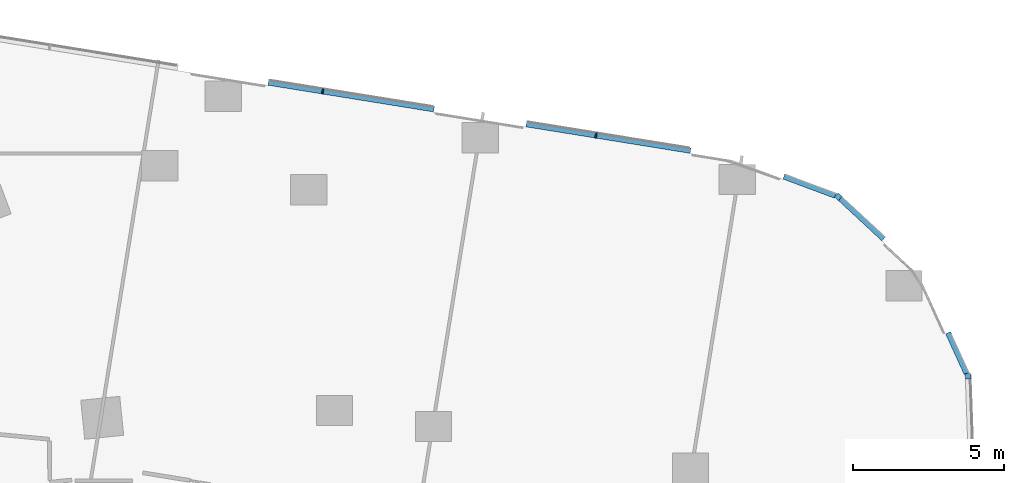
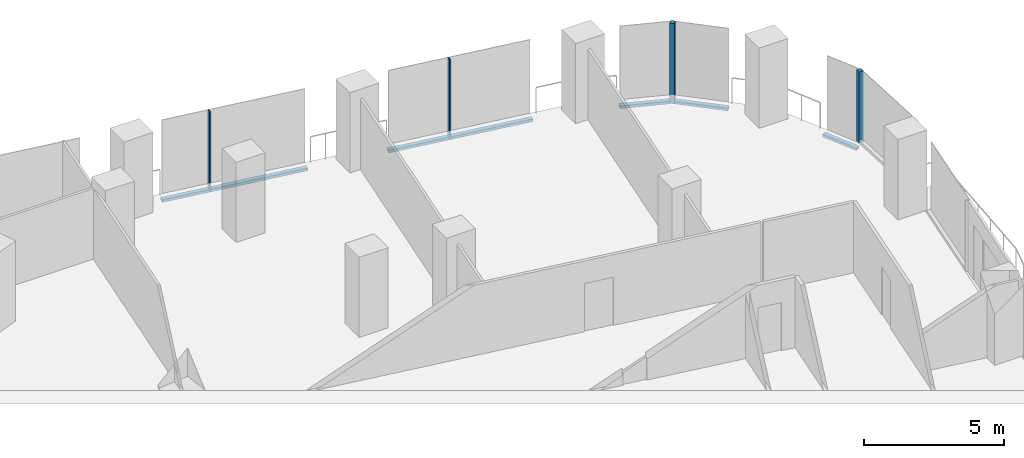
# One storey, part 12 of 32: 9 members, 5 elements without a shape of their own.
"""IFC4 building model written with IfcOpenShell, lengths in metres."""

from ifc_helpers import new_model, si_unit, direction, frame, origin, origin_2d, place, context, subcontext, project, spatial, rectangle, extrude, material, material_profile, profile_set, type_object, element, aggregate, save


model = new_model("IFC4")

# Units and contexts
model_context = context("Model", 3, precision=1e-05, world=origin(), true_north=direction((0.0, 1.0)))
body_context = subcontext(model_context, "Body", "Model", "MODEL_VIEW")
ifc_project = project(units=[si_unit("LENGTHUNIT", "METRE"), si_unit("AREAUNIT", "SQUARE_METRE"), si_unit("VOLUMEUNIT", "CUBIC_METRE"), si_unit("PLANEANGLEUNIT", "RADIAN"), si_unit("MASSUNIT", "GRAM", prefix="KILO")], contexts=[model_context])

# Site, building, storey
site_placement = place(None, origin())
site = spatial("IfcSite", under=ifc_project, at=site_placement, CompositionType="ELEMENT")
building_placement = place(site_placement, origin())
building = spatial("IfcBuilding", under=site, at=building_placement, Name="Orlundy Tower", CompositionType="ELEMENT")
storey_placement = place(building_placement, frame((0.0, 0.0, 123.699951171875)))
storey = spatial("IfcBuildingStorey", under=building, at=storey_placement, Name="L31", CompositionType="ELEMENT", Elevation=123.699951171875)

# Curtain wall, member
ifc_material_1 = material(Name="Aluminium bronze anodised", Category="aluminium")
curtain_wall_type = type_object("IfcCurtainWallType", Name="CW1 wall", PredefinedType="NOTDEFINED", material=ifc_material_1)
curtain_wall_1_placement = place(storey_placement, origin())
curtain_wall_1 = element("IfcCurtainWall", 1, at=curtain_wall_1_placement, inside=storey, type_object=curtain_wall_type, Name="CW1 run 08", PredefinedType="NOTDEFINED")
ifc_material_2 = material(Name="Aluminium bronze anodised", Category="aluminium")
ifc_material_profile_1 = material_profile(ifc_material_2, rectangle(XDim=0.179931640625, YDim=0.179931640625, at=origin_2d()), Name="CW1 corner post 180x180")
ifc_profile_set_1 = profile_set([ifc_material_profile_1], Name="Aluminium bronze anodised")
member_type_1 = type_object("IfcMemberType", Name="CW1 corner post 180x180", PredefinedType="MULLION", material=ifc_profile_set_1)
member_1_placement = place(storey_placement, frame((56.069091796875, 10.564208984375, -0.39990234375), z_axis=(0.0, 0.0, 1.0), x_axis=(0.680875211262, 0.732399444763, 0.0)))
member_1 = element("IfcMember", 2, at=member_1_placement, type_object=member_type_1, Name="CW1 mullion 33", PredefinedType="MULLION", context=body_context, shape_type="SweptSolid", body=[
    extrude(rectangle(XDim=0.179931640625, YDim=0.179931640625, at=origin_2d()), origin(), (0.0, 0.0, 1.0), 3.5),
])

curtain_wall_2_placement = place(storey_placement, origin())
curtain_wall_2 = element("IfcCurtainWall", 3, at=curtain_wall_2_placement, inside=storey, type_object=curtain_wall_type, Name="CW1 run 010", PredefinedType="NOTDEFINED")
member_2_placement = place(storey_placement, frame((60.3671875, 4.612060546875, 0.0), z_axis=(0.0, 0.0, 1.0), x_axis=(0.999336466026, 0.036422900353, 0.0)))
member_2 = element("IfcMember", 4, at=member_2_placement, type_object=member_type_1, Name="CW1 mullion 35", PredefinedType="MULLION", context=body_context, shape_type="SweptSolid", body=[
    extrude(rectangle(XDim=0.179931640625, YDim=0.179931640625, at=origin_2d()), origin(), (0.0, 0.0, 1.0), 3.10009765625),
])
aggregate(curtain_wall_2, [member_2])

# Curtain wall, members
curtain_wall_3_placement = place(storey_placement, origin())
curtain_wall_3 = element("IfcCurtainWall", 5, at=curtain_wall_3_placement, inside=storey, type_object=curtain_wall_type, Name="CW1 run 06", PredefinedType="NOTDEFINED")
ifc_material_3 = material(Name="Aluminium bronze anodised", Category="aluminium")
ifc_material_profile_2 = material_profile(ifc_material_3, rectangle(XDim=0.179931640625, YDim=0.050048828125, at=origin_2d()), Name="CW1 mullion 50x180")
ifc_profile_set_2 = profile_set([ifc_material_profile_2], Name="Aluminium bronze anodised")
member_type_2 = type_object("IfcMemberType", Name="CW1 mullion 50x180", PredefinedType="MULLION", material=ifc_profile_set_2)
member_3_placement = place(storey_placement, frame((38.971923828125, 14.060791015625, -0.39990234375), z_axis=(0.0, 0.0, 1.0), x_axis=(0.159302095871, 0.987229883184, 0.0)))
member_3 = element("IfcMember", 6, at=member_3_placement, type_object=member_type_2, Name="CW1 mullion 29", PredefinedType="MULLION", context=body_context, shape_type="SweptSolid", body=[
    extrude(rectangle(XDim=0.179931640625, YDim=0.050048828125, at=origin_2d()), origin(), (0.0, 0.0, 1.0), 3.5),
])
member_4_placement = place(storey_placement, frame((48.0322265625, 12.598876953125, -0.39990234375), z_axis=(0.0, 0.0, 1.0), x_axis=(0.159302095871, 0.987229883184, 0.0)))
member_4 = element("IfcMember", 7, at=member_4_placement, type_object=member_type_2, Name="CW1 mullion 31", PredefinedType="MULLION", context=body_context, shape_type="SweptSolid", body=[
    extrude(rectangle(XDim=0.179931640625, YDim=0.050048828125, at=origin_2d()), origin(), (0.0, 0.0, 1.0), 3.5),
])
ifc_material_4 = material(Name="Aluminium bronze anodised", Category="aluminium")
ifc_material_profile_3 = material_profile(ifc_material_4, rectangle(XDim=0.179931640625, YDim=0.1201171875, at=origin_2d()), Name="CW1 transom 180x120")
ifc_profile_set_3 = profile_set([ifc_material_profile_3], Name="Aluminium bronze anodised")
member_type_3 = type_object("IfcMemberType", Name="CW1 transom 180x120", PredefinedType="USERDEFINED", material=ifc_profile_set_3)
member_5_placement = place(storey_placement, frame((37.16748046875, 14.35205078125, -0.33984375), z_axis=(0.987229552255, -0.159304146694, 0.0), x_axis=(0.159304146694, 0.987229552255, 0.0)))
member_5 = element("IfcMember", 8, at=member_5_placement, type_object=member_type_3, Name="CW1 transom", ObjectType="TRANSOM", PredefinedType="USERDEFINED", context=body_context, shape_type="SweptSolid", body=[
    extrude(rectangle(XDim=0.179931640625, YDim=0.1201171875, at=origin_2d()), origin(), (0.0, 0.0, 1.0), 5.566162109375),
])
member_6_placement = place(storey_placement, frame((45.721435546875, 12.9716796875, -0.33984375), z_axis=(0.987230120077, -0.159300627787, 0.0), x_axis=(0.159300627787, 0.987230120077, 0.0)))
member_6 = element("IfcMember", 9, at=member_6_placement, type_object=member_type_3, Name="CW1 transom", ObjectType="TRANSOM", PredefinedType="USERDEFINED", context=body_context, shape_type="SweptSolid", body=[
    extrude(rectangle(XDim=0.179931640625, YDim=0.1201171875, at=origin_2d()), origin(), (0.0, 0.0, 1.0), 5.515869140625),
])
aggregate(curtain_wall_3, [member_3, member_4, member_5, member_6])

# Curtain wall, member
curtain_wall_4_placement = place(storey_placement, origin())
curtain_wall_4 = element("IfcCurtainWall", 10, at=curtain_wall_4_placement, inside=storey, type_object=curtain_wall_type, Name="CW1 run 07", PredefinedType="NOTDEFINED")
member_7_placement = place(storey_placement, frame((54.26318359375, 11.236328125, -0.33984375), z_axis=(0.937187359861, -0.348826393091, 0.0), x_axis=(0.348826393091, 0.937187359861, 0.0)))
member_7 = element("IfcMember", 11, at=member_7_placement, type_object=member_type_3, Name="CW1 transom", ObjectType="TRANSOM", PredefinedType="USERDEFINED", context=body_context, shape_type="SweptSolid", body=[
    extrude(rectangle(XDim=0.179931640625, YDim=0.1201171875, at=origin_2d()), origin(), (0.0, 0.0, 1.0), 1.82958984375),
])
aggregate(curtain_wall_4, [member_7])

# Member
member_8_placement = place(storey_placement, frame((56.135009765625, 10.5029296875, -0.33984375), z_axis=(0.73240760805, -0.680866430125, 0.0), x_axis=(0.680866430125, 0.73240760805, 0.0)))
member_8 = element("IfcMember", 12, at=member_8_placement, type_object=member_type_3, Name="CW1 transom", ObjectType="TRANSOM", PredefinedType="USERDEFINED", context=body_context, shape_type="SweptSolid", body=[
    extrude(rectangle(XDim=0.179931640625, YDim=0.1201171875, at=origin_2d()), origin(), (0.0, 0.0, 1.0), 1.9609375),
])

aggregate(curtain_wall_1, [member_1, member_8])

# Curtain wall, member
curtain_wall_5_placement = place(storey_placement, origin())
curtain_wall_5 = element("IfcCurtainWall", 13, at=curtain_wall_5_placement, inside=storey, type_object=curtain_wall_type, Name="CW1 run 09", PredefinedType="NOTDEFINED")
member_9_placement = place(storey_placement, frame((59.70751953125, 6.054443359375, -0.33984375), z_axis=(0.415914788633, -0.9094035895, 0.0), x_axis=(0.9094035895, 0.415914788633, 0.0)))
member_9 = element("IfcMember", 14, at=member_9_placement, type_object=member_type_3, Name="CW1 transom", ObjectType="TRANSOM", PredefinedType="USERDEFINED", context=body_context, shape_type="SweptSolid", body=[
    extrude(rectangle(XDim=0.179931640625, YDim=0.1201171875, at=origin_2d()), origin(), (0.0, 0.0, 1.0), 1.488525390625),
])
aggregate(curtain_wall_5, [member_9])

save(model, "model.ifc")
